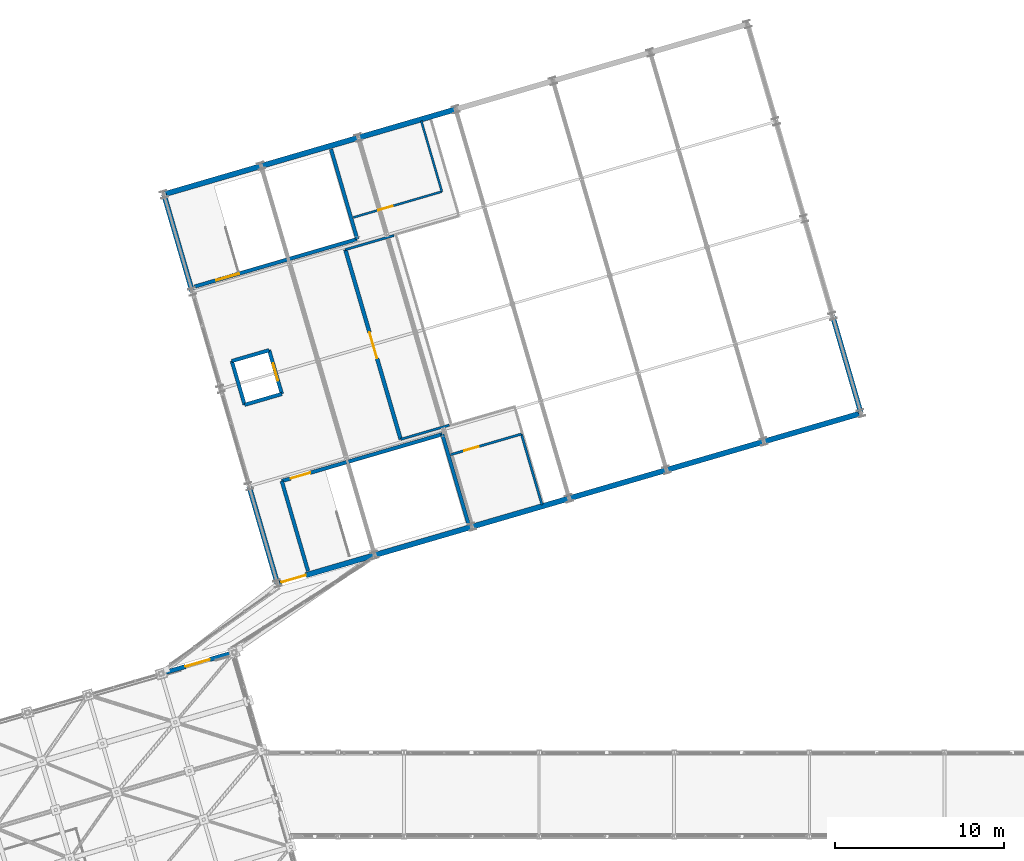
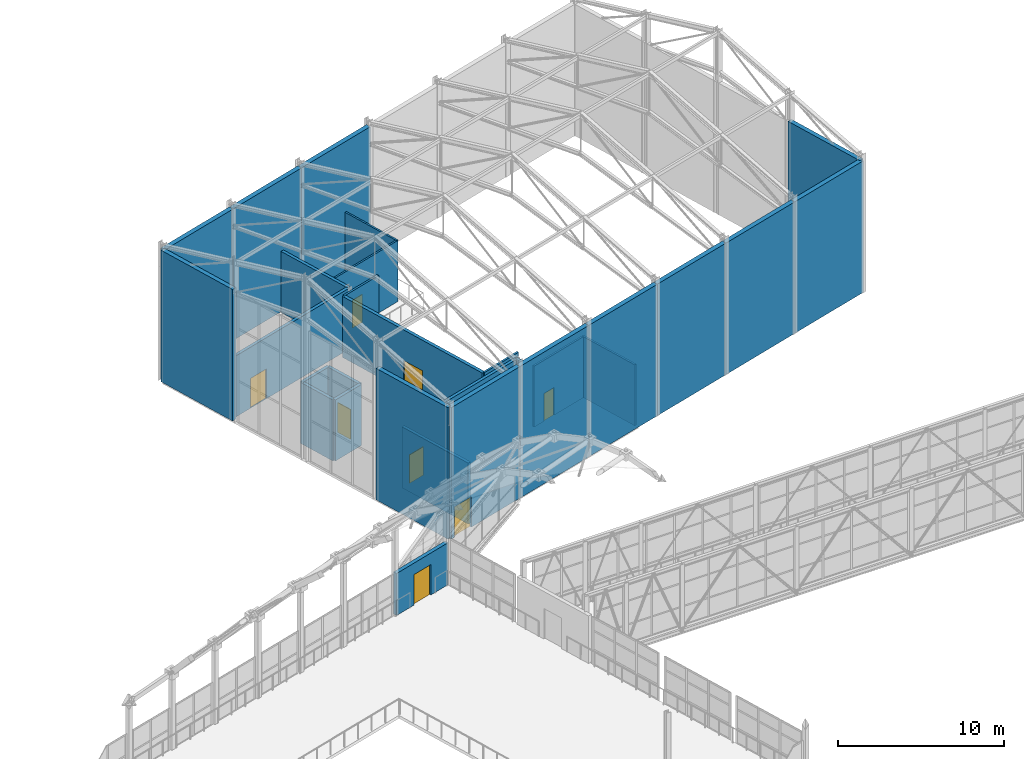
# One storey, part 226 of 248: 29 walls, 8 doors, 8 openings.
"""IFC4 building model written with IfcOpenShell, lengths in metres."""

from ifc_helpers import new_model, si_unit, direction, frame, frame_2d, origin, place, context, subcontext, project, spatial, rectangle, extrude, material, layer, layer_set, type_object, element, fill, save


model = new_model("IFC4")

# Units and contexts
model_context = context("Model", 3, precision=1e-05, world=origin(), true_north=direction((0.0, 1.0)))
body_context = subcontext(model_context, "Body", "Model", "MODEL_VIEW")
ifc_project = project(units=[si_unit("LENGTHUNIT", "METRE"), si_unit("AREAUNIT", "SQUARE_METRE"), si_unit("VOLUMEUNIT", "CUBIC_METRE"), si_unit("PLANEANGLEUNIT", "RADIAN"), si_unit("MASSUNIT", "GRAM", prefix="KILO")], contexts=[model_context])

# Site, building, storey
site_placement = place(None, origin())
site = spatial("IfcSite", under=ifc_project, at=site_placement, CompositionType="ELEMENT")
building_placement = place(site_placement, origin())
building = spatial("IfcBuilding", under=site, at=building_placement, Name="Canggui Botanical Conservatory", CompositionType="ELEMENT")
storey_placement = place(building_placement, frame((0.0, 0.0, 5.39990234375)))
storey = spatial("IfcBuildingStorey", under=building, at=storey_placement, Name="L02", CompositionType="ELEMENT", Elevation=5.39990234375)

# Wall, opening, door
ifc_material_1 = material(Name="Precast Concrete C40", Category="concrete")
ifc_layer_1 = layer(ifc_material_1, 0.260009765625, Name="Precast Concrete C40", Category="concrete")
ifc_layer_set_1 = layer_set([ifc_layer_1], Name="Precast Concrete C40")
wall_type_1 = type_object("IfcWallType", Name="EW-260", PredefinedType="STANDARD", material=ifc_layer_set_1)
wall_1_placement = place(storey_placement, frame((59.1201171875, 84.659912109375, 0.0), z_axis=(0.0, 0.0, 1.0), x_axis=(0.959996353951, 0.280012500437, 0.0)))
wall_1 = element("IfcWall", 1, at=wall_1_placement, inside=storey, type_object=wall_type_1, Name="Conservatory Skybridge Portal Wall V1-14", PredefinedType="STANDARD", context=body_context, shape_type="SweptSolid", body=[
    extrude(rectangle(XDim=4.499755859375, YDim=0.260009765625, at=frame_2d((2.25, 0.0))), origin(), (0.0, 0.0, 1.0), 3.10009765625),
])
opening_1_placement = place(wall_1_placement, frame((1.5, 0.0, 0.0)))
opening_1 = element("IfcOpeningElement", 2, at=opening_1_placement, cuts=wall_1, Name="Opening TD-01", PredefinedType="OPENING", context=body_context, shape_type="SweptSolid", body=[
    extrude(rectangle(XDim=1.5, YDim=2.25, at=frame_2d((0.75, 1.125))), frame((0.0, 0.14013671875, 0.0), z_axis=(0.0, -1.0, 0.0), x_axis=(1.0, 0.0, 0.0)), (0.0, 0.0, 1.0), 0.280029296875),
])
ifc_material_2 = material(Name="Anodised Aluminium", Category="aluminium")
door_type_1 = type_object("IfcDoorType", Name="EDR-TER15", OperationType="NOTDEFINED", PredefinedType="DOOR", material=ifc_material_2)
door_1_placement = place(opening_1_placement, origin())
door_1 = element("IfcDoor", 3, at=door_1_placement, inside=storey, type_object=door_type_1, Name="Conservatory Skybridge Fire Door V1-14", OperationType="SINGLE_SWING_LEFT", OverallHeight=2.25, OverallWidth=1.5, PredefinedType="DOOR", context=body_context, shape_type="SweptSolid", body=[
    extrude(rectangle(XDim=1.5, YDim=2.25, at=frame_2d((0.75, 1.125))), frame((0.0, 0.02490234375, 0.0), z_axis=(0.0, -1.0, 0.0), x_axis=(1.0, 0.0, 0.0)), (0.0, 0.0, 1.0), 0.050048828125),
])
fill(opening_1, door_1)

# Walls
ifc_layer_2 = layer(ifc_material_1, 0.300048828125, Name="Precast Concrete C40", Category="concrete")
ifc_layer_set_2 = layer_set([ifc_layer_2], Name="Precast Concrete C40")
wall_type_2 = type_object("IfcWallType", Name="EW-300", PredefinedType="STANDARD", material=ifc_layer_set_2)
for number, where, z_axis, x_axis, name in (
    (4, (66.0, 90.0, 0.0), (0.0, 0.0, 1.0), (-0.279989062464, 0.960003190047, 0.0), "Auditorium Upper End Wall L02-W-0"),
    (5, (60.9599609375, 107.280029296875, 0.0), (0.0, 0.0, 1.0), (-0.279989062464, 0.960003190047, 0.0), "Auditorium Upper End Wall L02-W-3"),
    (6, (98.8798828125, 105.840087890625, 0.0), (0.0, 0.0, 1.0), (0.280026562133, -0.959992252312, 0.0), "Auditorium Upper End Wall L02-E-0"),
):
    element("IfcWall", number, at=place(storey_placement, frame(where, z_axis=z_axis, x_axis=x_axis)), inside=storey, type_object=wall_type_2, Name=name, PredefinedType="STANDARD", context=body_context, shape_type="SweptSolid", body=[
        extrude(rectangle(XDim=6.0, YDim=0.300048828125, at=frame_2d((3.0, 0.0))), origin(), (0.0, 0.0, 1.0), 9.7001953125),
    ])

# Wall, opening, door
ifc_layer_3 = layer(ifc_material_1, 0.320068359375, Name="Precast Concrete C40", Category="concrete")
ifc_layer_set_3 = layer_set([ifc_layer_3], Name="Precast Concrete C40")
wall_type_3 = type_object("IfcWallType", Name="EW-320", PredefinedType="STANDARD", material=ifc_layer_set_3)
wall_2_placement = place(storey_placement, frame((71.760009765625, 91.679931640625, 0.0), z_axis=(0.0, 0.0, 1.0), x_axis=(-0.960003190047, -0.279989062464, 0.0)))
wall_2 = element("IfcWall", 7, at=wall_2_placement, inside=storey, type_object=wall_type_3, Name="Auditorium Upper Acoustic Wall L02-V0-0", PredefinedType="STANDARD", context=body_context, shape_type="SweptSolid", body=[
    extrude(rectangle(XDim=6.0, YDim=0.320068359375, at=frame_2d((3.0, 0.0))), origin(), (0.0, 0.0, 1.0), 9.7001953125),
])
opening_2_placement = place(wall_2_placement, frame((4.25, 0.0, 0.0)))
opening_2 = element("IfcOpeningElement", 8, at=opening_2_placement, cuts=wall_2, Name="Opening TD-01", PredefinedType="OPENING", context=body_context, shape_type="SweptSolid", body=[
    extrude(rectangle(XDim=1.5, YDim=2.25, at=frame_2d((0.75, 1.125))), frame((0.0, 0.169921875, 0.0), z_axis=(0.0, -1.0, 0.0), x_axis=(1.0, 0.0, 0.0)), (0.0, 0.0, 1.0), 0.340087890625),
])
door_2_placement = place(opening_2_placement, origin())
door_2 = element("IfcDoor", 9, at=door_2_placement, inside=storey, type_object=door_type_1, Name="Auditorium Skybridge SB-03 Fire Door", OperationType="SINGLE_SWING_RIGHT", OverallHeight=2.25, OverallWidth=1.5, PredefinedType="DOOR", context=body_context, shape_type="SweptSolid", body=[
    extrude(rectangle(XDim=1.5, YDim=2.25, at=frame_2d((0.75, 1.125))), frame((0.0, 0.02490234375, 0.0), z_axis=(0.0, -1.0, 0.0), x_axis=(1.0, 0.0, 0.0)), (0.0, 0.0, 1.0), 0.050048828125),
])
fill(opening_2, door_2)

# Walls
for number, where, z_axis, x_axis, name in (
    (10, (77.52001953125, 93.360107421875, 0.0), (0.0, 0.0, 1.0), (-0.959992252312, -0.280026562133, 0.0), "Auditorium Upper Acoustic Wall L02-V0-1"),
    (11, (83.280029296875, 95.0400390625, 0.0), (0.0, 0.0, 1.0), (-0.960003190047, -0.279989062464, 0.0), "Auditorium Upper Acoustic Wall L02-V0-2"),
    (12, (89.0400390625, 96.719970703125, 0.0), (0.0, 0.0, 1.0), (-0.960003190047, -0.279989062464, 0.0), "Auditorium Upper Acoustic Wall L02-V0-3"),
    (13, (94.800048828125, 98.39990234375, 0.0), (0.0, 0.0, 1.0), (-0.960003190047, -0.279989062464, 0.0), "Auditorium Upper Acoustic Wall L02-V0-4"),
    (14, (100.56005859375, 100.080078125, 0.0), (0.0, 0.0, 1.0), (-0.959992252312, -0.280026562133, 0.0), "Auditorium Upper Acoustic Wall L02-V0-5"),
    (15, (59.280029296875, 113.0400390625, 0.0), (0.0, 0.0, 1.0), (0.960003190047, 0.279989062464, 0.0), "Auditorium Upper Acoustic Wall L02-V1-0"),
    (16, (65.0400390625, 114.719970703125, 0.0), (0.0, 0.0, 1.0), (0.960003190047, 0.279989062464, 0.0), "Auditorium Upper Acoustic Wall L02-V1-1"),
    (17, (70.800048828125, 116.39990234375, 0.0), (0.0, 0.0, 1.0), (0.959992252312, 0.280026562133, 0.0), "Auditorium Upper Acoustic Wall L02-V1-2"),
):
    element("IfcWall", number, at=place(storey_placement, frame(where, z_axis=z_axis, x_axis=x_axis)), inside=storey, type_object=wall_type_3, Name=name, PredefinedType="STANDARD", context=body_context, shape_type="SweptSolid", body=[
        extrude(rectangle(XDim=6.0, YDim=0.320068359375, at=frame_2d((3.0, 0.0))), origin(), (0.0, 0.0, 1.0), 9.7001953125),
    ])

# Wall, opening, door
ifc_material_3 = material(Name="Concrete C35", Category="concrete")
ifc_layer_4 = layer(ifc_material_3, 0.22998046875, Name="Concrete C35", Category="concrete")
ifc_layer_set_4 = layer_set([ifc_layer_4], Name="Concrete C35")
wall_type_4 = type_object("IfcWallType", Name="IW-AUD-230", PredefinedType="STANDARD", material=ifc_layer_set_4)
wall_3_placement = place(storey_placement, frame((73.302001953125, 98.535888671875, 0.0), z_axis=(0.0, 0.0, 1.0), x_axis=(-0.280005608871, 0.959998364061, 0.0)))
wall_3 = element("IfcWall", 18, at=wall_3_placement, inside=storey, type_object=wall_type_4, Name="Auditorium Upper Foyer Acoustic Wall", PredefinedType="STANDARD", context=body_context, shape_type="SweptSolid", body=[
    extrude(rectangle(XDim=11.7001953125, YDim=0.22998046875, at=frame_2d((5.85009765625, 0.0))), origin(), (0.0, 0.0, 1.0), 4.5),
])
opening_3_placement = place(wall_3_placement, frame((5.0, 0.0, 0.0)))
opening_3 = element("IfcOpeningElement", 19, at=opening_3_placement, cuts=wall_3, Name="Opening FD-15", PredefinedType="OPENING", context=body_context, shape_type="SweptSolid", body=[
    extrude(rectangle(XDim=1.60009765625, YDim=2.25, at=frame_2d((0.800048828125, 1.125))), frame((0.0, 0.125, 0.0), z_axis=(0.0, -1.0, 0.0), x_axis=(1.0, 0.0, 0.0)), (0.0, 0.0, 1.0), 0.25),
])
ifc_material_4 = material(Name="Powder-Coated Steel", Category="steel")
door_type_2 = type_object("IfcDoorType", Name="FD-15", OperationType="NOTDEFINED", PredefinedType="DOOR", material=ifc_material_4)
door_3_placement = place(opening_3_placement, origin())
door_3 = element("IfcDoor", 20, at=door_3_placement, inside=storey, type_object=door_type_2, Name="Interior Door IW-AUD-FOY2", OperationType="DOUBLE_DOOR_SINGLE_SWING", OverallHeight=2.25, OverallWidth=1.60009765625, PredefinedType="DOOR", context=body_context, shape_type="SweptSolid", body=[
    extrude(rectangle(XDim=1.60009765625, YDim=2.25, at=frame_2d((0.800048828125, 1.125))), frame((0.0, 0.02490234375, 0.0), z_axis=(0.0, -1.0, 0.0), x_axis=(1.0, 0.0, 0.0)), (0.0, 0.0, 1.0), 0.050048828125),
])
fill(opening_3, door_3)

# Walls
ifc_material_5 = material(Name="Gypsum Plasterboard Partition")
ifc_layer_5 = layer(ifc_material_5, 0.139892578125, Name="Gypsum Plasterboard Partition")
ifc_layer_set_5 = layer_set([ifc_layer_5], Name="Gypsum Plasterboard Partition")
wall_type_5 = type_object("IfcWallType", Name="IW-PART-140", PredefinedType="STANDARD", material=ifc_layer_set_5)
for number, where, z_axis, x_axis, name in (
    (21, (73.302001953125, 98.535888671875, 0.0), (0.0, 0.0, 1.0), (0.959989061447, 0.280037500885, 0.0), "Auditorium Upper Foyer South Wing Wall"),
    (22, (70.02587890625, 109.76806640625, 0.0), (0.0, 0.0, 1.0), (0.960017315421, 0.279940626011, 0.0), "Auditorium Upper Foyer North Wing Wall"),
):
    element("IfcWall", number, at=place(storey_placement, frame(where, z_axis=z_axis, x_axis=x_axis)), inside=storey, type_object=wall_type_5, Name=name, PredefinedType="STANDARD", context=body_context, shape_type="SweptSolid", body=[
        extrude(rectangle(XDim=3.0, YDim=0.139892578125, at=frame_2d((1.5, 0.0))), origin(), (0.0, 0.0, 1.0), 4.5),
    ])

# Wall, opening, door
wall_4_placement = place(storey_placement, frame((76.2548828125, 97.62646484375, 0.0), z_axis=(0.0, 0.0, 1.0), x_axis=(0.959995619759, 0.280015017531, 0.0)))
wall_4 = element("IfcWall", 23, at=wall_4_placement, inside=storey, type_object=wall_type_5, Name="Auditorium AV Room North Partition", PredefinedType="STANDARD", context=body_context, shape_type="SweptSolid", body=[
    extrude(rectangle(XDim=4.369873046875, YDim=0.139892578125, at=frame_2d((2.18505859375, 0.0))), origin(), (0.0, 0.0, 1.0), 4.5),
])
opening_4_placement = place(wall_4_placement, frame((0.85009765625, 0.0, 0.0)))
opening_4 = element("IfcOpeningElement", 24, at=opening_4_placement, cuts=wall_4, Name="Opening ID-01", PredefinedType="OPENING", context=body_context, shape_type="SweptSolid", body=[
    extrude(rectangle(XDim=0.8798828125, YDim=2.050048828125, at=frame_2d((0.43994140625, 1.02490234375))), frame((0.0, 0.080078125, 0.0), z_axis=(0.0, -1.0, 0.0), x_axis=(1.0, 0.0, 0.0)), (0.0, 0.0, 1.0), 0.159912109375),
])
ifc_material_6 = material(Name="Engineered Timber Veneer", Category="wood")
door_type_3 = type_object("IfcDoorType", Name="ID-01", OperationType="NOTDEFINED", PredefinedType="DOOR", material=ifc_material_6)
door_4_placement = place(opening_4_placement, origin())
door_4 = element("IfcDoor", 25, at=door_4_placement, inside=storey, type_object=door_type_3, Name="Interior Door IW-AUD-AV2", OperationType="SINGLE_SWING_LEFT", OverallHeight=2.050048828125, OverallWidth=0.8798828125, PredefinedType="DOOR", context=body_context, shape_type="SweptSolid", body=[
    extrude(rectangle(XDim=0.8798828125, YDim=2.050048828125, at=frame_2d((0.43994140625, 1.02490234375))), frame((0.0, 0.02490234375, 0.0), z_axis=(0.0, -1.0, 0.0), x_axis=(1.0, 0.0, 0.0)), (0.0, 0.0, 1.0), 0.050048828125),
])
fill(opening_4, door_4)

# Walls
wall_5_placement = place(storey_placement, frame((81.673583984375, 94.65478515625, 0.0), z_axis=(0.0, 0.0, 1.0), x_axis=(-0.28, 0.96, 0.0)))
element("IfcWall", 26, at=wall_5_placement, inside=storey, type_object=wall_type_5, Name="Auditorium AV Room East Wall", PredefinedType="STANDARD", context=body_context, shape_type="SweptSolid", body=[
    extrude(rectangle(XDim=4.3701171875, YDim=0.139892578125, at=frame_2d((2.18505859375, 0.0))), origin(), (0.0, 0.0, 1.0), 4.5),
])
ifc_layer_6 = layer(ifc_material_3, 0.215087890625, Name="Concrete C35", Category="concrete")
ifc_layer_set_6 = layer_set([ifc_layer_6], Name="Concrete C35")
wall_type_6 = type_object("IfcWallType", Name="IW-SHAFT-215", PredefinedType="STANDARD", material=ifc_layer_set_6)
wall_6_placement = place(storey_placement, frame((67.81591796875, 90.738037109375, 0.0), z_axis=(0.0, 0.0, 1.0), x_axis=(-0.279998310772, 0.96000049269, 0.0)))
element("IfcWall", 27, at=wall_6_placement, inside=storey, type_object=wall_type_6, Name="ST-A1 Shaft West Wall L02", PredefinedType="STANDARD", context=body_context, shape_type="SweptSolid", body=[
    extrude(rectangle(XDim=5.5498046875, YDim=0.215087890625, at=frame_2d((2.77490234375, 0.0))), origin(), (0.0, 0.0, 1.0), 4.5),
])

# Wall, opening, door
wall_7_placement = place(storey_placement, frame((66.261962890625, 96.06591796875, 0.0), z_axis=(0.0, 0.0, 1.0), x_axis=(0.960001933347, 0.279993371297, 0.0)))
wall_7 = element("IfcWall", 28, at=wall_7_placement, inside=storey, type_object=wall_type_6, Name="ST-A1 Shaft Foyer Wall L02", PredefinedType="STANDARD", context=body_context, shape_type="SweptSolid", body=[
    extrude(rectangle(XDim=9.900146484375, YDim=0.215087890625, at=frame_2d((4.9501953125, 0.0))), origin(), (0.0, 0.0, 1.0), 4.5),
])
opening_5_placement = place(wall_7_placement, frame((0.550048828125, 0.0, 0.0)))
opening_5 = element("IfcOpeningElement", 29, at=opening_5_placement, cuts=wall_7, Name="Opening FD-07", PredefinedType="OPENING", context=body_context, shape_type="SweptSolid", body=[
    extrude(rectangle(XDim=1.199951171875, YDim=2.10009765625, at=frame_2d((0.60009765625, 1.050048828125))), frame((0.0, 0.11767578125, 0.0), z_axis=(0.0, -1.0, 0.0), x_axis=(1.0, 0.0, 0.0)), (0.0, 0.0, 1.0), 0.235107421875),
])
door_type_4 = type_object("IfcDoorType", Name="FD-07", OperationType="NOTDEFINED", PredefinedType="DOOR", material=ifc_material_4)
door_5_placement = place(opening_5_placement, origin())
door_5 = element("IfcDoor", 30, at=door_5_placement, inside=storey, type_object=door_type_4, Name="Auditorium Stair ST-A1 Door L02", OperationType="SINGLE_SWING_RIGHT", OverallHeight=2.10009765625, OverallWidth=1.199951171875, PredefinedType="DOOR", context=body_context, shape_type="SweptSolid", body=[
    extrude(rectangle(XDim=1.199951171875, YDim=2.10009765625, at=frame_2d((0.60009765625, 1.050048828125))), frame((0.0, 0.02490234375, 0.0), z_axis=(0.0, -1.0, 0.0), x_axis=(1.0, 0.0, 0.0)), (0.0, 0.0, 1.0), 0.050048828125),
])
fill(opening_5, door_5)

# Wall
wall_8_placement = place(storey_placement, frame((77.320068359375, 93.510009765625, 0.0), z_axis=(0.0, 0.0, 1.0), x_axis=(-0.279998310772, 0.96000049269, 0.0)))
element("IfcWall", 31, at=wall_8_placement, inside=storey, type_object=wall_type_6, Name="ST-A1 Shaft East Wall L02", PredefinedType="STANDARD", context=body_context, shape_type="SweptSolid", body=[
    extrude(rectangle(XDim=5.5498046875, YDim=0.215087890625, at=frame_2d((2.77490234375, 0.0))), origin(), (0.0, 0.0, 1.0), 4.5),
])

# Wall, opening, door
wall_9_placement = place(storey_placement, frame((61.08203125, 107.575927734375, 0.0), z_axis=(0.0, 0.0, 1.0), x_axis=(0.960000544156, 0.279998134317, 0.0)))
wall_9 = element("IfcWall", 32, at=wall_9_placement, inside=storey, type_object=wall_type_6, Name="ST-A2 Shaft Foyer Wall L02", PredefinedType="STANDARD", context=body_context, shape_type="SweptSolid", body=[
    extrude(rectangle(XDim=10.050048828125, YDim=0.215087890625, at=frame_2d((5.02490234375, 0.0))), origin(), (0.0, 0.0, 1.0), 4.5),
])
opening_6_placement = place(wall_9_placement, frame((1.35009765625, 0.0, 0.0)))
opening_6 = element("IfcOpeningElement", 33, at=opening_6_placement, cuts=wall_9, Name="Opening FD-11", PredefinedType="OPENING", context=body_context, shape_type="SweptSolid", body=[
    extrude(rectangle(XDim=1.39990234375, YDim=2.199951171875, at=frame_2d((0.699951171875, 1.10009765625))), frame((0.0, 0.11767578125, 0.0), z_axis=(0.0, -1.0, 0.0), x_axis=(1.0, 0.0, 0.0)), (0.0, 0.0, 1.0), 0.235107421875),
])
door_type_5 = type_object("IfcDoorType", Name="FD-11", OperationType="NOTDEFINED", PredefinedType="DOOR", material=ifc_material_4)
door_6_placement = place(opening_6_placement, origin())
door_6 = element("IfcDoor", 34, at=door_6_placement, inside=storey, type_object=door_type_5, Name="Auditorium Stair ST-A2 Door L02", OperationType="SINGLE_SWING_RIGHT", OverallHeight=2.199951171875, OverallWidth=1.39990234375, PredefinedType="DOOR", context=body_context, shape_type="SweptSolid", body=[
    extrude(rectangle(XDim=1.39990234375, YDim=2.199951171875, at=frame_2d((0.699951171875, 1.10009765625))), frame((0.0, 0.02490234375, 0.0), z_axis=(0.0, -1.0, 0.0), x_axis=(1.0, 0.0, 0.0)), (0.0, 0.0, 1.0), 0.050048828125),
])
fill(opening_6, door_6)

# Walls
wall_10_placement = place(storey_placement, frame((70.72998046875, 110.389892578125, 0.0), z_axis=(0.0, 0.0, 1.0), x_axis=(-0.27998648672, 0.96000394127, 0.0)))
element("IfcWall", 35, at=wall_10_placement, inside=storey, type_object=wall_type_6, Name="ST-A2 Shaft East Wall L02", PredefinedType="STANDARD", context=body_context, shape_type="SweptSolid", body=[
    extrude(rectangle(XDim=5.550048828125, YDim=0.215087890625, at=frame_2d((2.77490234375, 0.0))), origin(), (0.0, 0.0, 1.0), 4.5),
])
wall_11_placement = place(storey_placement, frame((64.06005859375, 100.580078125, 0.0), z_axis=(0.0, 0.0, 1.0), x_axis=(0.959995244467, 0.280016304169, 0.0)))
element("IfcWall", 36, at=wall_11_placement, inside=storey, type_object=wall_type_6, Name="Auditorium Lift PL-05 Shaft Wall L02-0", PredefinedType="STANDARD", context=body_context, shape_type="SweptSolid", body=[
    extrude(rectangle(XDim=2.300048828125, YDim=0.215087890625, at=frame_2d((1.14990234375, 0.0))), origin(), (0.0, 0.0, 1.0), 4.5),
])

# Wall, opening, door
wall_12_placement = place(storey_placement, frame((66.26806640625, 101.22412109375, 0.0), z_axis=(0.0, 0.0, 1.0), x_axis=(-0.280055558503, 0.959983793692, 0.0)))
wall_12 = element("IfcWall", 37, at=wall_12_placement, inside=storey, type_object=wall_type_6, Name="Auditorium Lift PL-05 Shaft Wall L02-1", PredefinedType="STANDARD", context=body_context, shape_type="SweptSolid", body=[
    extrude(rectangle(XDim=2.699951171875, YDim=0.215087890625, at=frame_2d((1.35009765625, 0.0))), origin(), (0.0, 0.0, 1.0), 4.5),
])
opening_7_placement = place(wall_12_placement, frame((0.824951171875, 0.0, 0.0)))
opening_7 = element("IfcOpeningElement", 38, at=opening_7_placement, cuts=wall_12, Name="Opening LD-02", PredefinedType="OPENING", context=body_context, shape_type="SweptSolid", body=[
    extrude(rectangle(XDim=1.050048828125, YDim=2.199951171875, at=frame_2d((0.52490234375, 1.10009765625))), frame((0.0, 0.11767578125, 0.0), z_axis=(0.0, -1.0, 0.0), x_axis=(1.0, 0.0, 0.0)), (0.0, 0.0, 1.0), 0.235107421875),
])
ifc_material_7 = material(Name="Stainless Steel 304", Category="steel")
door_type_6 = type_object("IfcDoorType", Name="LDR-02", OperationType="NOTDEFINED", PredefinedType="DOOR", material=ifc_material_7)
door_7_placement = place(opening_7_placement, origin())
door_7 = element("IfcDoor", 39, at=door_7_placement, inside=storey, type_object=door_type_6, Name="Auditorium Lift PL-05 Landing Door L02", OperationType="SLIDING_TO_LEFT", OverallHeight=2.199951171875, OverallWidth=1.050048828125, PredefinedType="DOOR", context=body_context, shape_type="SweptSolid", body=[
    extrude(rectangle(XDim=1.050048828125, YDim=2.199951171875, at=frame_2d((0.52490234375, 1.10009765625))), frame((0.0, 0.02490234375, 0.0), z_axis=(0.0, -1.0, 0.0), x_axis=(1.0, 0.0, 0.0)), (0.0, 0.0, 1.0), 0.050048828125),
])
fill(opening_7, door_7)

# Walls
wall_13_placement = place(storey_placement, frame((65.511962890625, 103.81591796875, 0.0), z_axis=(0.0, 0.0, 1.0), x_axis=(-0.960023774217, -0.279918475521, 0.0)))
element("IfcWall", 40, at=wall_13_placement, inside=storey, type_object=wall_type_6, Name="Auditorium Lift PL-05 Shaft Wall L02-2", PredefinedType="STANDARD", context=body_context, shape_type="SweptSolid", body=[
    extrude(rectangle(XDim=2.300048828125, YDim=0.215087890625, at=frame_2d((1.14990234375, 0.0))), origin(), (0.0, 0.0, 1.0), 4.5),
])
wall_14_placement = place(storey_placement, frame((63.303955078125, 103.172119140625, 0.0), z_axis=(0.0, 0.0, 1.0), x_axis=(0.28003124906, -0.959990885139, 0.0)))
element("IfcWall", 41, at=wall_14_placement, inside=storey, type_object=wall_type_6, Name="Auditorium Lift PL-05 Shaft Wall L02-3", PredefinedType="STANDARD", context=body_context, shape_type="SweptSolid", body=[
    extrude(rectangle(XDim=2.699951171875, YDim=0.215087890625, at=frame_2d((1.35009765625, 0.0))), origin(), (0.0, 0.0, 1.0), 4.5),
])

# Wall, opening, door
ifc_layer_7 = layer(ifc_material_5, 0.125, Name="Gypsum Plasterboard Partition")
ifc_layer_set_7 = layer_set([ifc_layer_7], Name="Gypsum Plasterboard Partition")
wall_type_7 = type_object("IfcWallType", Name="IW-WC-125", PredefinedType="STANDARD", material=ifc_layer_set_7)
wall_15_placement = place(storey_placement, frame((70.49072265625, 111.67431640625, 0.0), z_axis=(0.0, 0.0, 1.0), x_axis=(0.959993501296, 0.280022280307, 0.0)))
wall_15 = element("IfcWall", 42, at=wall_15_placement, inside=storey, type_object=wall_type_7, Name="Auditorium Balcony WC South Partition", PredefinedType="STANDARD", context=body_context, shape_type="SweptSolid", body=[
    extrude(rectangle(XDim=5.469970703125, YDim=0.125, at=frame_2d((2.73486328125, 0.0))), origin(), (0.0, 0.0, 1.0), 4.5),
])
opening_8_placement = place(wall_15_placement, frame((1.550048828125, 0.0, 0.0)))
opening_8 = element("IfcOpeningElement", 43, at=opening_8_placement, cuts=wall_15, Name="Opening ID-01", PredefinedType="OPENING", context=body_context, shape_type="SweptSolid", body=[
    extrude(rectangle(XDim=0.8798828125, YDim=2.050048828125, at=frame_2d((0.43994140625, 1.02490234375))), frame((0.0, 0.072509765625, 0.0), z_axis=(0.0, -1.0, 0.0), x_axis=(1.0, 0.0, 0.0)), (0.0, 0.0, 1.0), 0.14501953125),
])
door_8_placement = place(opening_8_placement, origin())
door_8 = element("IfcDoor", 44, at=door_8_placement, inside=storey, type_object=door_type_3, Name="Interior Door IW-AUD-WC2", OperationType="SINGLE_SWING_RIGHT", OverallHeight=2.050048828125, OverallWidth=0.8798828125, PredefinedType="DOOR", context=body_context, shape_type="SweptSolid", body=[
    extrude(rectangle(XDim=0.8798828125, YDim=2.050048828125, at=frame_2d((0.43994140625, 1.02490234375))), frame((0.0, 0.02490234375, 0.0), z_axis=(0.0, -1.0, 0.0), x_axis=(1.0, 0.0, 0.0)), (0.0, 0.0, 1.0), 0.050048828125),
])
fill(opening_8, door_8)

# Wall
wall_16_placement = place(storey_placement, frame((75.741943359375, 113.2060546875, 0.0), z_axis=(0.0, 0.0, 1.0), x_axis=(-0.280015017531, 0.959995619759, 0.0)))
element("IfcWall", 45, at=wall_16_placement, inside=storey, type_object=wall_type_7, Name="Auditorium Balcony WC East Wall", PredefinedType="STANDARD", context=body_context, shape_type="SweptSolid", body=[
    extrude(rectangle(XDim=4.369873046875, YDim=0.125, at=frame_2d((2.18505859375, 0.0))), origin(), (0.0, 0.0, 1.0), 4.5),
])

save(model, "model.ifc")
